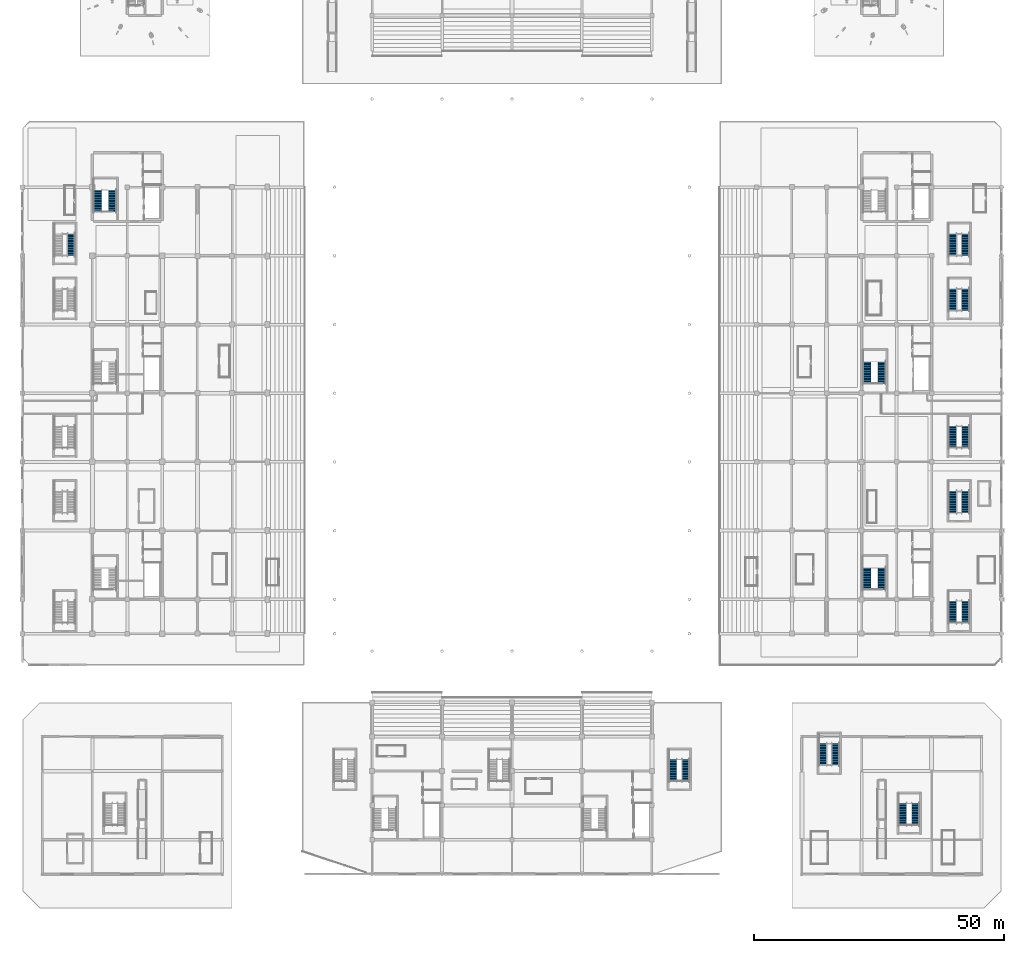
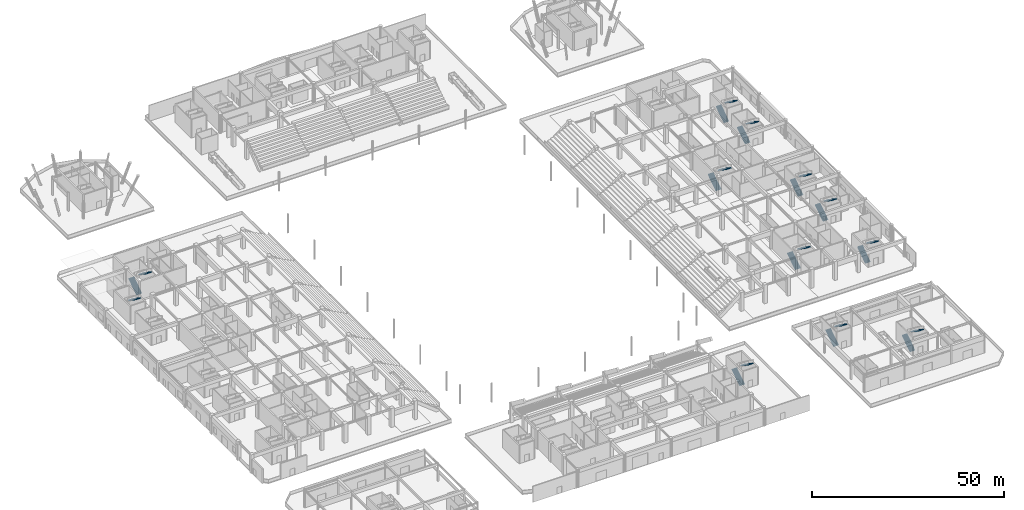
# One storey, part 55 of 73: 23 stair flights, 12 elements without a shape of their own.
"""IFC4 building model written with IfcOpenShell, lengths in metres."""

from ifc_helpers import new_model, si_unit, direction, frame, origin, place, context, subcontext, project, spatial, polyline, outline, extrude, material, type_object, element, aggregate, save


model = new_model("IFC4")

# Units and contexts
model_context = context("Model", 3, precision=1e-05, world=origin(), true_north=direction((0.0, 1.0)))
body_context = subcontext(model_context, "Body", "Model", "MODEL_VIEW")
ifc_project = project(units=[si_unit("LENGTHUNIT", "METRE"), si_unit("AREAUNIT", "SQUARE_METRE"), si_unit("VOLUMEUNIT", "CUBIC_METRE"), si_unit("PLANEANGLEUNIT", "RADIAN"), si_unit("MASSUNIT", "GRAM", prefix="KILO")], contexts=[model_context])

# Site, building, storey
site_placement = place(None, origin())
site = spatial("IfcSite", under=ifc_project, at=site_placement, CompositionType="ELEMENT")
building_placement = place(site_placement, origin())
building = spatial("IfcBuilding", under=site, at=building_placement, Name="Linyun Crest Stadium", CompositionType="ELEMENT")
storey_placement = place(building_placement, origin())
storey = spatial("IfcBuildingStorey", under=building, at=storey_placement, Name="L01", CompositionType="ELEMENT", Elevation=0.0)

# Stair, stair flights
ifc_material_1 = material(Name="Concrete C40", Category="concrete")
stair_type = type_object("IfcStairType", Name="STA01", PredefinedType="HALF_TURN_STAIR", material=ifc_material_1)
stair_1_placement = place(storey_placement, origin())
stair_1 = element("IfcStair", 1, at=stair_1_placement, inside=storey, type_object=stair_type, Name="Evacuation stair STR-03-L01", PredefinedType="HALF_TURN_STAIR")
ifc_material_2 = material(Name="Concrete C40", Category="concrete")
stair_flight_type_1 = type_object("IfcStairFlightType", Name="STF01", PredefinedType="STRAIGHT", material=ifc_material_2)
stair_flight_1_placement = place(storey_placement, frame((-82.909912109375, 38.489990234375, 0.0), z_axis=(0.0, 0.0, 1.0), x_axis=(0.0, 1.0, 0.0)))
stair_flight_1 = element("IfcStairFlight", 2, at=stair_flight_1_placement, type_object=stair_flight_type_1, Name="STR-03-L01 flight 1", NumberOfRisers=18, NumberOfTreads=17, PredefinedType="STRAIGHT", RiserHeight=0.166666667, TreadLength=0.25, context=body_context, shape_type="SweptSolid", body=[
    extrude(outline(polyline([(0.0, 0.0), (0.0, 0.166748046875), (0.25, 0.166748046875), (0.25, 0.333251953125), (0.5, 0.333251953125), (0.5, 0.5), (0.75, 0.5), (0.75, 0.666748046875), (1.0, 0.666748046875), (1.0, 0.833251953125), (1.25, 0.833251953125), (1.25, 1.0), (1.5, 1.0), (1.5, 1.166748046875), (1.75, 1.166748046875), (1.75, 1.333251953125), (2.0, 1.333251953125), (2.0, 1.5), (2.25, 1.5), (2.25, 1.666748046875), (2.5, 1.666748046875), (2.5, 1.833251953125), (2.75, 1.833251953125), (2.75, 2.0), (3.0, 2.0), (3.0, 2.166748046875), (3.25, 2.166748046875), (3.25, 2.333251953125), (3.5, 2.333251953125), (3.5, 2.5), (3.75, 2.5), (3.75, 2.666748046875), (4.0, 2.666748046875), (4.0, 2.833251953125), (4.25, 2.833251953125), (4.25, 3.0), (4.25, 2.6171875), (0.324462890625, 0.0), (0.0, 0.0)])), frame((0.0, 0.824951171875, 0.0), z_axis=(0.0, -1.0, 0.0), x_axis=(1.0, 0.0, 0.0)), (0.0, 0.0, 1.0), 1.64990234375),
])
stair_flight_2_placement = place(storey_placement, frame((-79.965087890625, 42.739990234375, 3.0), z_axis=(0.0, 0.0, 1.0), x_axis=(0.0, -1.0, 0.0)))
stair_flight_2 = element("IfcStairFlight", 3, at=stair_flight_2_placement, type_object=stair_flight_type_1, Name="STR-03-L01 flight 2", NumberOfRisers=18, NumberOfTreads=17, PredefinedType="STRAIGHT", RiserHeight=0.166666667, TreadLength=0.25, context=body_context, shape_type="SweptSolid", body=[
    extrude(outline(polyline([(0.0, 0.0), (0.0, 0.166748046875), (0.25, 0.166748046875), (0.25, 0.333251953125), (0.5, 0.333251953125), (0.5, 0.5), (0.75, 0.5), (0.75, 0.666748046875), (1.0, 0.666748046875), (1.0, 0.833251953125), (1.25, 0.833251953125), (1.25, 1.0), (1.5, 1.0), (1.5, 1.166748046875), (1.75, 1.166748046875), (1.75, 1.333251953125), (2.0, 1.333251953125), (2.0, 1.5), (2.25, 1.5), (2.25, 1.666748046875), (2.5, 1.666748046875), (2.5, 1.833251953125), (2.75, 1.833251953125), (2.75, 2.0), (3.0, 2.0), (3.0, 2.166748046875), (3.25, 2.166748046875), (3.25, 2.333251953125), (3.5, 2.333251953125), (3.5, 2.5), (3.75, 2.5), (3.75, 2.666748046875), (4.0, 2.666748046875), (4.0, 2.833251953125), (4.25, 2.833251953125), (4.25, 3.0), (4.25, 2.6171875), (0.324462890625, 0.0), (0.0, 0.0)])), frame((0.0, 0.824951171875, 0.0), z_axis=(0.0, -1.0, 0.0), x_axis=(1.0, 0.0, 0.0)), (0.0, 0.0, 1.0), 1.64990234375),
])
aggregate(stair_1, [stair_flight_1, stair_flight_2])

stair_2_placement = place(storey_placement, origin())
stair_2 = element("IfcStair", 4, at=stair_2_placement, inside=storey, type_object=stair_type, Name="Evacuation stair STR-04-L01", PredefinedType="HALF_TURN_STAIR")
stair_flight_3_placement = place(storey_placement, frame((71.0400390625, -37.135009765625, 0.0), z_axis=(0.0, 0.0, 1.0), x_axis=(0.0, 1.0, 0.0)))
stair_flight_3 = element("IfcStairFlight", 5, at=stair_flight_3_placement, type_object=stair_flight_type_1, Name="STR-04-L01 flight 1", NumberOfRisers=18, NumberOfTreads=17, PredefinedType="STRAIGHT", RiserHeight=0.166666667, TreadLength=0.25, context=body_context, shape_type="SweptSolid", body=[
    extrude(outline(polyline([(0.0, 0.0), (0.0, 0.166748046875), (0.25, 0.166748046875), (0.25, 0.333251953125), (0.5, 0.333251953125), (0.5, 0.5), (0.75, 0.5), (0.75, 0.666748046875), (1.0, 0.666748046875), (1.0, 0.833251953125), (1.25, 0.833251953125), (1.25, 1.0), (1.5, 1.0), (1.5, 1.166748046875), (1.75, 1.166748046875), (1.75, 1.333251953125), (2.0, 1.333251953125), (2.0, 1.5), (2.25, 1.5), (2.25, 1.666748046875), (2.5, 1.666748046875), (2.5, 1.833251953125), (2.75, 1.833251953125), (2.75, 2.0), (3.0, 2.0), (3.0, 2.166748046875), (3.25, 2.166748046875), (3.25, 2.333251953125), (3.5, 2.333251953125), (3.5, 2.5), (3.75, 2.5), (3.75, 2.666748046875), (4.0, 2.666748046875), (4.0, 2.833251953125), (4.25, 2.833251953125), (4.25, 3.0), (4.25, 2.6171875), (0.324462890625, 0.0), (0.0, 0.0)])), frame((0.0, 0.824951171875, 0.0), z_axis=(0.0, -1.0, 0.0), x_axis=(1.0, 0.0, 0.0)), (0.0, 0.0, 1.0), 1.64990234375),
])
stair_flight_4_placement = place(storey_placement, frame((74.034912109375, -32.885009765625, 3.0), z_axis=(0.0, 0.0, 1.0), x_axis=(0.0, -1.0, 0.0)))
stair_flight_4 = element("IfcStairFlight", 6, at=stair_flight_4_placement, type_object=stair_flight_type_1, Name="STR-04-L01 flight 2", NumberOfRisers=18, NumberOfTreads=17, PredefinedType="STRAIGHT", RiserHeight=0.166666667, TreadLength=0.25, context=body_context, shape_type="SweptSolid", body=[
    extrude(outline(polyline([(0.0, 0.0), (0.0, 0.166748046875), (0.25, 0.166748046875), (0.25, 0.333251953125), (0.5, 0.333251953125), (0.5, 0.5), (0.75, 0.5), (0.75, 0.666748046875), (1.0, 0.666748046875), (1.0, 0.833251953125), (1.25, 0.833251953125), (1.25, 1.0), (1.5, 1.0), (1.5, 1.166748046875), (1.75, 1.166748046875), (1.75, 1.333251953125), (2.0, 1.333251953125), (2.0, 1.5), (2.25, 1.5), (2.25, 1.666748046875), (2.5, 1.666748046875), (2.5, 1.833251953125), (2.75, 1.833251953125), (2.75, 2.0), (3.0, 2.0), (3.0, 2.166748046875), (3.25, 2.166748046875), (3.25, 2.333251953125), (3.5, 2.333251953125), (3.5, 2.5), (3.75, 2.5), (3.75, 2.666748046875), (4.0, 2.666748046875), (4.0, 2.833251953125), (4.25, 2.833251953125), (4.25, 3.0), (4.25, 2.6171875), (0.324462890625, 0.0), (0.0, 0.0)])), frame((0.0, 0.824951171875, 0.0), z_axis=(0.0, -1.0, 0.0), x_axis=(1.0, 0.0, 0.0)), (0.0, 0.0, 1.0), 1.64990234375),
])
aggregate(stair_2, [stair_flight_3, stair_flight_4])

stair_3_placement = place(storey_placement, origin())
stair_3 = element("IfcStair", 7, at=stair_3_placement, inside=storey, type_object=stair_type, Name="Evacuation stair STR-05-L01", PredefinedType="HALF_TURN_STAIR")
stair_flight_5_placement = place(storey_placement, frame((71.06494140625, 4.114990234375, 0.0), z_axis=(0.0, 0.0, 1.0), x_axis=(0.0, 1.0, 0.0)))
stair_flight_5 = element("IfcStairFlight", 8, at=stair_flight_5_placement, type_object=stair_flight_type_1, Name="STR-05-L01 flight 1", NumberOfRisers=18, NumberOfTreads=17, PredefinedType="STRAIGHT", RiserHeight=0.166666667, TreadLength=0.25, context=body_context, shape_type="SweptSolid", body=[
    extrude(outline(polyline([(0.0, 0.0), (0.0, 0.166748046875), (0.25, 0.166748046875), (0.25, 0.333251953125), (0.5, 0.333251953125), (0.5, 0.5), (0.75, 0.5), (0.75, 0.666748046875), (1.0, 0.666748046875), (1.0, 0.833251953125), (1.25, 0.833251953125), (1.25, 1.0), (1.5, 1.0), (1.5, 1.166748046875), (1.75, 1.166748046875), (1.75, 1.333251953125), (2.0, 1.333251953125), (2.0, 1.5), (2.25, 1.5), (2.25, 1.666748046875), (2.5, 1.666748046875), (2.5, 1.833251953125), (2.75, 1.833251953125), (2.75, 2.0), (3.0, 2.0), (3.0, 2.166748046875), (3.25, 2.166748046875), (3.25, 2.333251953125), (3.5, 2.333251953125), (3.5, 2.5), (3.75, 2.5), (3.75, 2.666748046875), (4.0, 2.666748046875), (4.0, 2.833251953125), (4.25, 2.833251953125), (4.25, 3.0), (4.25, 2.6171875), (0.324462890625, 0.0), (0.0, 0.0)])), frame((0.0, 0.824951171875, 0.0), z_axis=(0.0, -1.0, 0.0), x_axis=(1.0, 0.0, 0.0)), (0.0, 0.0, 1.0), 1.64990234375),
])
stair_flight_6_placement = place(storey_placement, frame((74.034912109375, 8.364990234375, 3.0), z_axis=(0.0, 0.0, 1.0), x_axis=(0.0, -1.0, 0.0)))
stair_flight_6 = element("IfcStairFlight", 9, at=stair_flight_6_placement, type_object=stair_flight_type_1, Name="STR-05-L01 flight 2", NumberOfRisers=18, NumberOfTreads=17, PredefinedType="STRAIGHT", RiserHeight=0.166666667, TreadLength=0.25, context=body_context, shape_type="SweptSolid", body=[
    extrude(outline(polyline([(0.0, 0.0), (0.0, 0.166748046875), (0.25, 0.166748046875), (0.25, 0.333251953125), (0.5, 0.333251953125), (0.5, 0.5), (0.75, 0.5), (0.75, 0.666748046875), (1.0, 0.666748046875), (1.0, 0.833251953125), (1.25, 0.833251953125), (1.25, 1.0), (1.5, 1.0), (1.5, 1.166748046875), (1.75, 1.166748046875), (1.75, 1.333251953125), (2.0, 1.333251953125), (2.0, 1.5), (2.25, 1.5), (2.25, 1.666748046875), (2.5, 1.666748046875), (2.5, 1.833251953125), (2.75, 1.833251953125), (2.75, 2.0), (3.0, 2.0), (3.0, 2.166748046875), (3.25, 2.166748046875), (3.25, 2.333251953125), (3.5, 2.333251953125), (3.5, 2.5), (3.75, 2.5), (3.75, 2.666748046875), (4.0, 2.666748046875), (4.0, 2.833251953125), (4.25, 2.833251953125), (4.25, 3.0), (4.25, 2.6171875), (0.324462890625, 0.0), (0.0, 0.0)])), frame((0.0, 0.824951171875, 0.0), z_axis=(0.0, -1.0, 0.0), x_axis=(1.0, 0.0, 0.0)), (0.0, 0.0, 1.0), 1.64990234375),
])
aggregate(stair_3, [stair_flight_5, stair_flight_6])

# Stair, stair flight
stair_4_placement = place(storey_placement, origin())
stair_4 = element("IfcStair", 10, at=stair_4_placement, inside=storey, type_object=stair_type, Name="Vomitory evacuation stair STR-17-L01", PredefinedType="HALF_TURN_STAIR")
ifc_material_3 = material(Name="Concrete C40", Category="concrete")
stair_flight_type_2 = type_object("IfcStairFlightType", Name="STF02", PredefinedType="STRAIGHT", material=ifc_material_3)
stair_flight_7_placement = place(storey_placement, frame((-88.215087890625, 33.969970703125, 3.0), z_axis=(0.0, 0.0, 1.0), x_axis=(0.0, -1.0, 0.0)))
stair_flight_7 = element("IfcStairFlight", 11, at=stair_flight_7_placement, type_object=stair_flight_type_2, Name="STR-17-L01 flight 2", NumberOfRisers=18, NumberOfTreads=17, PredefinedType="STRAIGHT", RiserHeight=0.166666667, TreadLength=0.25, context=body_context, shape_type="SweptSolid", body=[
    extrude(outline(polyline([(0.0, 0.0), (0.0, 0.166748046875), (0.25, 0.166748046875), (0.25, 0.333251953125), (0.5, 0.333251953125), (0.5, 0.5), (0.75, 0.5), (0.75, 0.666748046875), (1.0, 0.666748046875), (1.0, 0.833251953125), (1.25, 0.833251953125), (1.25, 1.0), (1.5, 1.0), (1.5, 1.166748046875), (1.75, 1.166748046875), (1.75, 1.333251953125), (2.0, 1.333251953125), (2.0, 1.5), (2.25, 1.5), (2.25, 1.666748046875), (2.5, 1.666748046875), (2.5, 1.833251953125), (2.75, 1.833251953125), (2.75, 2.0), (3.0, 2.0), (3.0, 2.166748046875), (3.25, 2.166748046875), (3.25, 2.333251953125), (3.5, 2.333251953125), (3.5, 2.5), (3.75, 2.5), (3.75, 2.666748046875), (4.0, 2.666748046875), (4.0, 2.833251953125), (4.25, 2.833251953125), (4.25, 3.0), (4.25, 2.6171875), (0.324462890625, 0.0), (0.0, 0.0)])), frame((0.0, 0.77490234375, 0.0), z_axis=(0.0, -1.0, 0.0), x_axis=(1.0, 0.0, 0.0)), (0.0, 0.0, 1.0), 1.550048828125),
])
aggregate(stair_4, [stair_flight_7])

# Stair, stair flights
stair_5_placement = place(storey_placement, origin())
stair_5 = element("IfcStair", 12, at=stair_5_placement, inside=storey, type_object=stair_type, Name="Vomitory evacuation stair STR-18-L01", PredefinedType="HALF_TURN_STAIR")
stair_flight_8_placement = place(storey_placement, frame((88.215087890625, -43.780029296875, 0.0), z_axis=(0.0, 0.0, 1.0), x_axis=(0.0, 1.0, 0.0)))
stair_flight_8 = element("IfcStairFlight", 13, at=stair_flight_8_placement, type_object=stair_flight_type_2, Name="STR-18-L01 flight 1", NumberOfRisers=18, NumberOfTreads=17, PredefinedType="STRAIGHT", RiserHeight=0.166666667, TreadLength=0.25, context=body_context, shape_type="SweptSolid", body=[
    extrude(outline(polyline([(0.0, 0.0), (0.0, 0.166748046875), (0.25, 0.166748046875), (0.25, 0.333251953125), (0.5, 0.333251953125), (0.5, 0.5), (0.75, 0.5), (0.75, 0.666748046875), (1.0, 0.666748046875), (1.0, 0.833251953125), (1.25, 0.833251953125), (1.25, 1.0), (1.5, 1.0), (1.5, 1.166748046875), (1.75, 1.166748046875), (1.75, 1.333251953125), (2.0, 1.333251953125), (2.0, 1.5), (2.25, 1.5), (2.25, 1.666748046875), (2.5, 1.666748046875), (2.5, 1.833251953125), (2.75, 1.833251953125), (2.75, 2.0), (3.0, 2.0), (3.0, 2.166748046875), (3.25, 2.166748046875), (3.25, 2.333251953125), (3.5, 2.333251953125), (3.5, 2.5), (3.75, 2.5), (3.75, 2.666748046875), (4.0, 2.666748046875), (4.0, 2.833251953125), (4.25, 2.833251953125), (4.25, 3.0), (4.25, 2.6171875), (0.324462890625, 0.0), (0.0, 0.0)])), frame((0.0, 0.77490234375, 0.0), z_axis=(0.0, -1.0, 0.0), x_axis=(1.0, 0.0, 0.0)), (0.0, 0.0, 1.0), 1.550048828125),
])
stair_flight_9_placement = place(storey_placement, frame((90.784912109375, -39.530029296875, 3.0), z_axis=(0.0, 0.0, 1.0), x_axis=(0.0, -1.0, 0.0)))
stair_flight_9 = element("IfcStairFlight", 14, at=stair_flight_9_placement, type_object=stair_flight_type_2, Name="STR-18-L01 flight 2", NumberOfRisers=18, NumberOfTreads=17, PredefinedType="STRAIGHT", RiserHeight=0.166666667, TreadLength=0.25, context=body_context, shape_type="SweptSolid", body=[
    extrude(outline(polyline([(0.0, 0.0), (0.0, 0.166748046875), (0.25, 0.166748046875), (0.25, 0.333251953125), (0.5, 0.333251953125), (0.5, 0.5), (0.75, 0.5), (0.75, 0.666748046875), (1.0, 0.666748046875), (1.0, 0.833251953125), (1.25, 0.833251953125), (1.25, 1.0), (1.5, 1.0), (1.5, 1.166748046875), (1.75, 1.166748046875), (1.75, 1.333251953125), (2.0, 1.333251953125), (2.0, 1.5), (2.25, 1.5), (2.25, 1.666748046875), (2.5, 1.666748046875), (2.5, 1.833251953125), (2.75, 1.833251953125), (2.75, 2.0), (3.0, 2.0), (3.0, 2.166748046875), (3.25, 2.166748046875), (3.25, 2.333251953125), (3.5, 2.333251953125), (3.5, 2.5), (3.75, 2.5), (3.75, 2.666748046875), (4.0, 2.666748046875), (4.0, 2.833251953125), (4.25, 2.833251953125), (4.25, 3.0), (4.25, 2.6171875), (0.324462890625, 0.0), (0.0, 0.0)])), frame((0.0, 0.77490234375, 0.0), z_axis=(0.0, -1.0, 0.0), x_axis=(1.0, 0.0, 0.0)), (0.0, 0.0, 1.0), 1.550048828125),
])
aggregate(stair_5, [stair_flight_8, stair_flight_9])

stair_6_placement = place(storey_placement, origin())
stair_6 = element("IfcStair", 15, at=stair_6_placement, inside=storey, type_object=stair_type, Name="Vomitory evacuation stair STR-19-L01", PredefinedType="HALF_TURN_STAIR")
stair_flight_10_placement = place(storey_placement, frame((88.215087890625, -21.780029296875, 0.0), z_axis=(0.0, 0.0, 1.0), x_axis=(0.0, 1.0, 0.0)))
stair_flight_10 = element("IfcStairFlight", 16, at=stair_flight_10_placement, type_object=stair_flight_type_2, Name="STR-19-L01 flight 1", NumberOfRisers=18, NumberOfTreads=17, PredefinedType="STRAIGHT", RiserHeight=0.166666667, TreadLength=0.25, context=body_context, shape_type="SweptSolid", body=[
    extrude(outline(polyline([(0.0, 0.0), (0.0, 0.166748046875), (0.25, 0.166748046875), (0.25, 0.333251953125), (0.5, 0.333251953125), (0.5, 0.5), (0.75, 0.5), (0.75, 0.666748046875), (1.0, 0.666748046875), (1.0, 0.833251953125), (1.25, 0.833251953125), (1.25, 1.0), (1.5, 1.0), (1.5, 1.166748046875), (1.75, 1.166748046875), (1.75, 1.333251953125), (2.0, 1.333251953125), (2.0, 1.5), (2.25, 1.5), (2.25, 1.666748046875), (2.5, 1.666748046875), (2.5, 1.833251953125), (2.75, 1.833251953125), (2.75, 2.0), (3.0, 2.0), (3.0, 2.166748046875), (3.25, 2.166748046875), (3.25, 2.333251953125), (3.5, 2.333251953125), (3.5, 2.5), (3.75, 2.5), (3.75, 2.666748046875), (4.0, 2.666748046875), (4.0, 2.833251953125), (4.25, 2.833251953125), (4.25, 3.0), (4.25, 2.6171875), (0.324462890625, 0.0), (0.0, 0.0)])), frame((0.0, 0.77490234375, 0.0), z_axis=(0.0, -1.0, 0.0), x_axis=(1.0, 0.0, 0.0)), (0.0, 0.0, 1.0), 1.550048828125),
])
stair_flight_11_placement = place(storey_placement, frame((90.784912109375, -17.530029296875, 3.0), z_axis=(0.0, 0.0, 1.0), x_axis=(0.0, -1.0, 0.0)))
stair_flight_11 = element("IfcStairFlight", 17, at=stair_flight_11_placement, type_object=stair_flight_type_2, Name="STR-19-L01 flight 2", NumberOfRisers=18, NumberOfTreads=17, PredefinedType="STRAIGHT", RiserHeight=0.166666667, TreadLength=0.25, context=body_context, shape_type="SweptSolid", body=[
    extrude(outline(polyline([(0.0, 0.0), (0.0, 0.166748046875), (0.25, 0.166748046875), (0.25, 0.333251953125), (0.5, 0.333251953125), (0.5, 0.5), (0.75, 0.5), (0.75, 0.666748046875), (1.0, 0.666748046875), (1.0, 0.833251953125), (1.25, 0.833251953125), (1.25, 1.0), (1.5, 1.0), (1.5, 1.166748046875), (1.75, 1.166748046875), (1.75, 1.333251953125), (2.0, 1.333251953125), (2.0, 1.5), (2.25, 1.5), (2.25, 1.666748046875), (2.5, 1.666748046875), (2.5, 1.833251953125), (2.75, 1.833251953125), (2.75, 2.0), (3.0, 2.0), (3.0, 2.166748046875), (3.25, 2.166748046875), (3.25, 2.333251953125), (3.5, 2.333251953125), (3.5, 2.5), (3.75, 2.5), (3.75, 2.666748046875), (4.0, 2.666748046875), (4.0, 2.833251953125), (4.25, 2.833251953125), (4.25, 3.0), (4.25, 2.6171875), (0.324462890625, 0.0), (0.0, 0.0)])), frame((0.0, 0.77490234375, 0.0), z_axis=(0.0, -1.0, 0.0), x_axis=(1.0, 0.0, 0.0)), (0.0, 0.0, 1.0), 1.550048828125),
])
aggregate(stair_6, [stair_flight_10, stair_flight_11])

stair_7_placement = place(storey_placement, origin())
stair_7 = element("IfcStair", 18, at=stair_7_placement, inside=storey, type_object=stair_type, Name="Vomitory evacuation stair STR-20-L01", PredefinedType="HALF_TURN_STAIR")
stair_flight_12_placement = place(storey_placement, frame((88.215087890625, -8.780029296875, 0.0), z_axis=(0.0, 0.0, 1.0), x_axis=(0.0, 1.0, 0.0)))
stair_flight_12 = element("IfcStairFlight", 19, at=stair_flight_12_placement, type_object=stair_flight_type_2, Name="STR-20-L01 flight 1", NumberOfRisers=18, NumberOfTreads=17, PredefinedType="STRAIGHT", RiserHeight=0.166666667, TreadLength=0.25, context=body_context, shape_type="SweptSolid", body=[
    extrude(outline(polyline([(0.0, 0.0), (0.0, 0.166748046875), (0.25, 0.166748046875), (0.25, 0.333251953125), (0.5, 0.333251953125), (0.5, 0.5), (0.75, 0.5), (0.75, 0.666748046875), (1.0, 0.666748046875), (1.0, 0.833251953125), (1.25, 0.833251953125), (1.25, 1.0), (1.5, 1.0), (1.5, 1.166748046875), (1.75, 1.166748046875), (1.75, 1.333251953125), (2.0, 1.333251953125), (2.0, 1.5), (2.25, 1.5), (2.25, 1.666748046875), (2.5, 1.666748046875), (2.5, 1.833251953125), (2.75, 1.833251953125), (2.75, 2.0), (3.0, 2.0), (3.0, 2.166748046875), (3.25, 2.166748046875), (3.25, 2.333251953125), (3.5, 2.333251953125), (3.5, 2.5), (3.75, 2.5), (3.75, 2.666748046875), (4.0, 2.666748046875), (4.0, 2.833251953125), (4.25, 2.833251953125), (4.25, 3.0), (4.25, 2.6171875), (0.324462890625, 0.0), (0.0, 0.0)])), frame((0.0, 0.77490234375, 0.0), z_axis=(0.0, -1.0, 0.0), x_axis=(1.0, 0.0, 0.0)), (0.0, 0.0, 1.0), 1.550048828125),
])
stair_flight_13_placement = place(storey_placement, frame((90.784912109375, -4.530029296875, 3.0), z_axis=(0.0, 0.0, 1.0), x_axis=(0.0, -1.0, 0.0)))
stair_flight_13 = element("IfcStairFlight", 20, at=stair_flight_13_placement, type_object=stair_flight_type_2, Name="STR-20-L01 flight 2", NumberOfRisers=18, NumberOfTreads=17, PredefinedType="STRAIGHT", RiserHeight=0.166666667, TreadLength=0.25, context=body_context, shape_type="SweptSolid", body=[
    extrude(outline(polyline([(0.0, 0.0), (0.0, 0.166748046875), (0.25, 0.166748046875), (0.25, 0.333251953125), (0.5, 0.333251953125), (0.5, 0.5), (0.75, 0.5), (0.75, 0.666748046875), (1.0, 0.666748046875), (1.0, 0.833251953125), (1.25, 0.833251953125), (1.25, 1.0), (1.5, 1.0), (1.5, 1.166748046875), (1.75, 1.166748046875), (1.75, 1.333251953125), (2.0, 1.333251953125), (2.0, 1.5), (2.25, 1.5), (2.25, 1.666748046875), (2.5, 1.666748046875), (2.5, 1.833251953125), (2.75, 1.833251953125), (2.75, 2.0), (3.0, 2.0), (3.0, 2.166748046875), (3.25, 2.166748046875), (3.25, 2.333251953125), (3.5, 2.333251953125), (3.5, 2.5), (3.75, 2.5), (3.75, 2.666748046875), (4.0, 2.666748046875), (4.0, 2.833251953125), (4.25, 2.833251953125), (4.25, 3.0), (4.25, 2.6171875), (0.324462890625, 0.0), (0.0, 0.0)])), frame((0.0, 0.77490234375, 0.0), z_axis=(0.0, -1.0, 0.0), x_axis=(1.0, 0.0, 0.0)), (0.0, 0.0, 1.0), 1.550048828125),
])
aggregate(stair_7, [stair_flight_12, stair_flight_13])

stair_8_placement = place(storey_placement, origin())
stair_8 = element("IfcStair", 21, at=stair_8_placement, inside=storey, type_object=stair_type, Name="Vomitory evacuation stair STR-21-L01", PredefinedType="HALF_TURN_STAIR")
stair_flight_14_placement = place(storey_placement, frame((88.215087890625, 18.719970703125, 0.0), z_axis=(0.0, 0.0, 1.0), x_axis=(0.0, 1.0, 0.0)))
stair_flight_14 = element("IfcStairFlight", 22, at=stair_flight_14_placement, type_object=stair_flight_type_2, Name="STR-21-L01 flight 1", NumberOfRisers=18, NumberOfTreads=17, PredefinedType="STRAIGHT", RiserHeight=0.166666667, TreadLength=0.25, context=body_context, shape_type="SweptSolid", body=[
    extrude(outline(polyline([(0.0, 0.0), (0.0, 0.166748046875), (0.25, 0.166748046875), (0.25, 0.333251953125), (0.5, 0.333251953125), (0.5, 0.5), (0.75, 0.5), (0.75, 0.666748046875), (1.0, 0.666748046875), (1.0, 0.833251953125), (1.25, 0.833251953125), (1.25, 1.0), (1.5, 1.0), (1.5, 1.166748046875), (1.75, 1.166748046875), (1.75, 1.333251953125), (2.0, 1.333251953125), (2.0, 1.5), (2.25, 1.5), (2.25, 1.666748046875), (2.5, 1.666748046875), (2.5, 1.833251953125), (2.75, 1.833251953125), (2.75, 2.0), (3.0, 2.0), (3.0, 2.166748046875), (3.25, 2.166748046875), (3.25, 2.333251953125), (3.5, 2.333251953125), (3.5, 2.5), (3.75, 2.5), (3.75, 2.666748046875), (4.0, 2.666748046875), (4.0, 2.833251953125), (4.25, 2.833251953125), (4.25, 3.0), (4.25, 2.6171875), (0.324462890625, 0.0), (0.0, 0.0)])), frame((0.0, 0.77490234375, 0.0), z_axis=(0.0, -1.0, 0.0), x_axis=(1.0, 0.0, 0.0)), (0.0, 0.0, 1.0), 1.550048828125),
])
stair_flight_15_placement = place(storey_placement, frame((90.784912109375, 22.969970703125, 3.0), z_axis=(0.0, 0.0, 1.0), x_axis=(0.0, -1.0, 0.0)))
stair_flight_15 = element("IfcStairFlight", 23, at=stair_flight_15_placement, type_object=stair_flight_type_2, Name="STR-21-L01 flight 2", NumberOfRisers=18, NumberOfTreads=17, PredefinedType="STRAIGHT", RiserHeight=0.166666667, TreadLength=0.25, context=body_context, shape_type="SweptSolid", body=[
    extrude(outline(polyline([(0.0, 0.0), (0.0, 0.166748046875), (0.25, 0.166748046875), (0.25, 0.333251953125), (0.5, 0.333251953125), (0.5, 0.5), (0.75, 0.5), (0.75, 0.666748046875), (1.0, 0.666748046875), (1.0, 0.833251953125), (1.25, 0.833251953125), (1.25, 1.0), (1.5, 1.0), (1.5, 1.166748046875), (1.75, 1.166748046875), (1.75, 1.333251953125), (2.0, 1.333251953125), (2.0, 1.5), (2.25, 1.5), (2.25, 1.666748046875), (2.5, 1.666748046875), (2.5, 1.833251953125), (2.75, 1.833251953125), (2.75, 2.0), (3.0, 2.0), (3.0, 2.166748046875), (3.25, 2.166748046875), (3.25, 2.333251953125), (3.5, 2.333251953125), (3.5, 2.5), (3.75, 2.5), (3.75, 2.666748046875), (4.0, 2.666748046875), (4.0, 2.833251953125), (4.25, 2.833251953125), (4.25, 3.0), (4.25, 2.6171875), (0.324462890625, 0.0), (0.0, 0.0)])), frame((0.0, 0.77490234375, 0.0), z_axis=(0.0, -1.0, 0.0), x_axis=(1.0, 0.0, 0.0)), (0.0, 0.0, 1.0), 1.550048828125),
])
aggregate(stair_8, [stair_flight_14, stair_flight_15])

stair_9_placement = place(storey_placement, origin())
stair_9 = element("IfcStair", 24, at=stair_9_placement, inside=storey, type_object=stair_type, Name="Vomitory evacuation stair STR-22-L01", PredefinedType="HALF_TURN_STAIR")
stair_flight_16_placement = place(storey_placement, frame((88.215087890625, 29.719970703125, 0.0), z_axis=(0.0, 0.0, 1.0), x_axis=(0.0, 1.0, 0.0)))
stair_flight_16 = element("IfcStairFlight", 25, at=stair_flight_16_placement, type_object=stair_flight_type_2, Name="STR-22-L01 flight 1", NumberOfRisers=18, NumberOfTreads=17, PredefinedType="STRAIGHT", RiserHeight=0.166666667, TreadLength=0.25, context=body_context, shape_type="SweptSolid", body=[
    extrude(outline(polyline([(0.0, 0.0), (0.0, 0.166748046875), (0.25, 0.166748046875), (0.25, 0.333251953125), (0.5, 0.333251953125), (0.5, 0.5), (0.75, 0.5), (0.75, 0.666748046875), (1.0, 0.666748046875), (1.0, 0.833251953125), (1.25, 0.833251953125), (1.25, 1.0), (1.5, 1.0), (1.5, 1.166748046875), (1.75, 1.166748046875), (1.75, 1.333251953125), (2.0, 1.333251953125), (2.0, 1.5), (2.25, 1.5), (2.25, 1.666748046875), (2.5, 1.666748046875), (2.5, 1.833251953125), (2.75, 1.833251953125), (2.75, 2.0), (3.0, 2.0), (3.0, 2.166748046875), (3.25, 2.166748046875), (3.25, 2.333251953125), (3.5, 2.333251953125), (3.5, 2.5), (3.75, 2.5), (3.75, 2.666748046875), (4.0, 2.666748046875), (4.0, 2.833251953125), (4.25, 2.833251953125), (4.25, 3.0), (4.25, 2.6171875), (0.324462890625, 0.0), (0.0, 0.0)])), frame((0.0, 0.77490234375, 0.0), z_axis=(0.0, -1.0, 0.0), x_axis=(1.0, 0.0, 0.0)), (0.0, 0.0, 1.0), 1.550048828125),
])
stair_flight_17_placement = place(storey_placement, frame((90.784912109375, 33.969970703125, 3.0), z_axis=(0.0, 0.0, 1.0), x_axis=(0.0, -1.0, 0.0)))
stair_flight_17 = element("IfcStairFlight", 26, at=stair_flight_17_placement, type_object=stair_flight_type_2, Name="STR-22-L01 flight 2", NumberOfRisers=18, NumberOfTreads=17, PredefinedType="STRAIGHT", RiserHeight=0.166666667, TreadLength=0.25, context=body_context, shape_type="SweptSolid", body=[
    extrude(outline(polyline([(0.0, 0.0), (0.0, 0.166748046875), (0.25, 0.166748046875), (0.25, 0.333251953125), (0.5, 0.333251953125), (0.5, 0.5), (0.75, 0.5), (0.75, 0.666748046875), (1.0, 0.666748046875), (1.0, 0.833251953125), (1.25, 0.833251953125), (1.25, 1.0), (1.5, 1.0), (1.5, 1.166748046875), (1.75, 1.166748046875), (1.75, 1.333251953125), (2.0, 1.333251953125), (2.0, 1.5), (2.25, 1.5), (2.25, 1.666748046875), (2.5, 1.666748046875), (2.5, 1.833251953125), (2.75, 1.833251953125), (2.75, 2.0), (3.0, 2.0), (3.0, 2.166748046875), (3.25, 2.166748046875), (3.25, 2.333251953125), (3.5, 2.333251953125), (3.5, 2.5), (3.75, 2.5), (3.75, 2.666748046875), (4.0, 2.666748046875), (4.0, 2.833251953125), (4.25, 2.833251953125), (4.25, 3.0), (4.25, 2.6171875), (0.324462890625, 0.0), (0.0, 0.0)])), frame((0.0, 0.77490234375, 0.0), z_axis=(0.0, -1.0, 0.0), x_axis=(1.0, 0.0, 0.0)), (0.0, 0.0, 1.0), 1.550048828125),
])
aggregate(stair_9, [stair_flight_16, stair_flight_17])

stair_10_placement = place(storey_placement, origin())
stair_10 = element("IfcStair", 27, at=stair_10_placement, inside=storey, type_object=stair_type, Name="Vomitory evacuation stair STR-29-L01", PredefinedType="HALF_TURN_STAIR")
stair_flight_18_placement = place(storey_placement, frame((32.215087890625, -75.47998046875, 0.0), z_axis=(0.0, 0.0, 1.0), x_axis=(0.0, 1.0, 0.0)))
stair_flight_18 = element("IfcStairFlight", 28, at=stair_flight_18_placement, type_object=stair_flight_type_2, Name="STR-29-L01 flight 1", NumberOfRisers=18, NumberOfTreads=17, PredefinedType="STRAIGHT", RiserHeight=0.166666667, TreadLength=0.25, context=body_context, shape_type="SweptSolid", body=[
    extrude(outline(polyline([(0.0, 0.0), (0.0, 0.166748046875), (0.25, 0.166748046875), (0.25, 0.333251953125), (0.5, 0.333251953125), (0.5, 0.5), (0.75, 0.5), (0.75, 0.666748046875), (1.0, 0.666748046875), (1.0, 0.833251953125), (1.25, 0.833251953125), (1.25, 1.0), (1.5, 1.0), (1.5, 1.166748046875), (1.75, 1.166748046875), (1.75, 1.333251953125), (2.0, 1.333251953125), (2.0, 1.5), (2.25, 1.5), (2.25, 1.666748046875), (2.5, 1.666748046875), (2.5, 1.833251953125), (2.75, 1.833251953125), (2.75, 2.0), (3.0, 2.0), (3.0, 2.166748046875), (3.25, 2.166748046875), (3.25, 2.333251953125), (3.5, 2.333251953125), (3.5, 2.5), (3.75, 2.5), (3.75, 2.666748046875), (4.0, 2.666748046875), (4.0, 2.833251953125), (4.25, 2.833251953125), (4.25, 3.0), (4.25, 2.6171875), (0.324462890625, 0.0), (0.0, 0.0)])), frame((0.0, 0.77490234375, 0.0), z_axis=(0.0, -1.0, 0.0), x_axis=(1.0, 0.0, 0.0)), (0.0, 0.0, 1.0), 1.550048828125),
])
stair_flight_19_placement = place(storey_placement, frame((34.784912109375, -71.22998046875, 3.0), z_axis=(0.0, 0.0, 1.0), x_axis=(0.0, -1.0, 0.0)))
stair_flight_19 = element("IfcStairFlight", 29, at=stair_flight_19_placement, type_object=stair_flight_type_2, Name="STR-29-L01 flight 2", NumberOfRisers=18, NumberOfTreads=17, PredefinedType="STRAIGHT", RiserHeight=0.166666667, TreadLength=0.25, context=body_context, shape_type="SweptSolid", body=[
    extrude(outline(polyline([(0.0, 0.0), (0.0, 0.166748046875), (0.25, 0.166748046875), (0.25, 0.333251953125), (0.5, 0.333251953125), (0.5, 0.5), (0.75, 0.5), (0.75, 0.666748046875), (1.0, 0.666748046875), (1.0, 0.833251953125), (1.25, 0.833251953125), (1.25, 1.0), (1.5, 1.0), (1.5, 1.166748046875), (1.75, 1.166748046875), (1.75, 1.333251953125), (2.0, 1.333251953125), (2.0, 1.5), (2.25, 1.5), (2.25, 1.666748046875), (2.5, 1.666748046875), (2.5, 1.833251953125), (2.75, 1.833251953125), (2.75, 2.0), (3.0, 2.0), (3.0, 2.166748046875), (3.25, 2.166748046875), (3.25, 2.333251953125), (3.5, 2.333251953125), (3.5, 2.5), (3.75, 2.5), (3.75, 2.666748046875), (4.0, 2.666748046875), (4.0, 2.833251953125), (4.25, 2.833251953125), (4.25, 3.0), (4.25, 2.6171875), (0.324462890625, 0.0), (0.0, 0.0)])), frame((0.0, 0.77490234375, 0.0), z_axis=(0.0, -1.0, 0.0), x_axis=(1.0, 0.0, 0.0)), (0.0, 0.0, 1.0), 1.550048828125),
])
aggregate(stair_10, [stair_flight_18, stair_flight_19])

stair_11_placement = place(storey_placement, origin())
stair_11 = element("IfcStair", 30, at=stair_11_placement, inside=storey, type_object=stair_type, Name="Vomitory evacuation stair STR-31-L01", PredefinedType="HALF_TURN_STAIR")
stair_flight_20_placement = place(storey_placement, frame((78.215087890625, -84.280029296875, 0.0), z_axis=(0.0, 0.0, 1.0), x_axis=(0.0, 1.0, 0.0)))
stair_flight_20 = element("IfcStairFlight", 31, at=stair_flight_20_placement, type_object=stair_flight_type_2, Name="STR-31-L01 flight 1", NumberOfRisers=18, NumberOfTreads=17, PredefinedType="STRAIGHT", RiserHeight=0.166666667, TreadLength=0.25, context=body_context, shape_type="SweptSolid", body=[
    extrude(outline(polyline([(0.0, 0.0), (0.0, 0.166748046875), (0.25, 0.166748046875), (0.25, 0.333251953125), (0.5, 0.333251953125), (0.5, 0.5), (0.75, 0.5), (0.75, 0.666748046875), (1.0, 0.666748046875), (1.0, 0.833251953125), (1.25, 0.833251953125), (1.25, 1.0), (1.5, 1.0), (1.5, 1.166748046875), (1.75, 1.166748046875), (1.75, 1.333251953125), (2.0, 1.333251953125), (2.0, 1.5), (2.25, 1.5), (2.25, 1.666748046875), (2.5, 1.666748046875), (2.5, 1.833251953125), (2.75, 1.833251953125), (2.75, 2.0), (3.0, 2.0), (3.0, 2.166748046875), (3.25, 2.166748046875), (3.25, 2.333251953125), (3.5, 2.333251953125), (3.5, 2.5), (3.75, 2.5), (3.75, 2.666748046875), (4.0, 2.666748046875), (4.0, 2.833251953125), (4.25, 2.833251953125), (4.25, 3.0), (4.25, 2.6171875), (0.324462890625, 0.0), (0.0, 0.0)])), frame((0.0, 0.77490234375, 0.0), z_axis=(0.0, -1.0, 0.0), x_axis=(1.0, 0.0, 0.0)), (0.0, 0.0, 1.0), 1.550048828125),
])
stair_flight_21_placement = place(storey_placement, frame((80.784912109375, -80.030029296875, 3.0), z_axis=(0.0, 0.0, 1.0), x_axis=(0.0, -1.0, 0.0)))
stair_flight_21 = element("IfcStairFlight", 32, at=stair_flight_21_placement, type_object=stair_flight_type_2, Name="STR-31-L01 flight 2", NumberOfRisers=18, NumberOfTreads=17, PredefinedType="STRAIGHT", RiserHeight=0.166666667, TreadLength=0.25, context=body_context, shape_type="SweptSolid", body=[
    extrude(outline(polyline([(0.0, 0.0), (0.0, 0.166748046875), (0.25, 0.166748046875), (0.25, 0.333251953125), (0.5, 0.333251953125), (0.5, 0.5), (0.75, 0.5), (0.75, 0.666748046875), (1.0, 0.666748046875), (1.0, 0.833251953125), (1.25, 0.833251953125), (1.25, 1.0), (1.5, 1.0), (1.5, 1.166748046875), (1.75, 1.166748046875), (1.75, 1.333251953125), (2.0, 1.333251953125), (2.0, 1.5), (2.25, 1.5), (2.25, 1.666748046875), (2.5, 1.666748046875), (2.5, 1.833251953125), (2.75, 1.833251953125), (2.75, 2.0), (3.0, 2.0), (3.0, 2.166748046875), (3.25, 2.166748046875), (3.25, 2.333251953125), (3.5, 2.333251953125), (3.5, 2.5), (3.75, 2.5), (3.75, 2.666748046875), (4.0, 2.666748046875), (4.0, 2.833251953125), (4.25, 2.833251953125), (4.25, 3.0), (4.25, 2.6171875), (0.324462890625, 0.0), (0.0, 0.0)])), frame((0.0, 0.77490234375, 0.0), z_axis=(0.0, -1.0, 0.0), x_axis=(1.0, 0.0, 0.0)), (0.0, 0.0, 1.0), 1.550048828125),
])
aggregate(stair_11, [stair_flight_20, stair_flight_21])

stair_12_placement = place(storey_placement, origin())
stair_12 = element("IfcStair", 33, at=stair_12_placement, inside=storey, type_object=stair_type, Name="Vomitory evacuation stair STR-32-L01", PredefinedType="HALF_TURN_STAIR")
stair_flight_22_placement = place(storey_placement, frame((62.215087890625, -72.280029296875, 0.0), z_axis=(0.0, 0.0, 1.0), x_axis=(0.0, 1.0, 0.0)))
stair_flight_22 = element("IfcStairFlight", 34, at=stair_flight_22_placement, type_object=stair_flight_type_2, Name="STR-32-L01 flight 1", NumberOfRisers=18, NumberOfTreads=17, PredefinedType="STRAIGHT", RiserHeight=0.166666667, TreadLength=0.25, context=body_context, shape_type="SweptSolid", body=[
    extrude(outline(polyline([(0.0, 0.0), (0.0, 0.166748046875), (0.25, 0.166748046875), (0.25, 0.333251953125), (0.5, 0.333251953125), (0.5, 0.5), (0.75, 0.5), (0.75, 0.666748046875), (1.0, 0.666748046875), (1.0, 0.833251953125), (1.25, 0.833251953125), (1.25, 1.0), (1.5, 1.0), (1.5, 1.166748046875), (1.75, 1.166748046875), (1.75, 1.333251953125), (2.0, 1.333251953125), (2.0, 1.5), (2.25, 1.5), (2.25, 1.666748046875), (2.5, 1.666748046875), (2.5, 1.833251953125), (2.75, 1.833251953125), (2.75, 2.0), (3.0, 2.0), (3.0, 2.166748046875), (3.25, 2.166748046875), (3.25, 2.333251953125), (3.5, 2.333251953125), (3.5, 2.5), (3.75, 2.5), (3.75, 2.666748046875), (4.0, 2.666748046875), (4.0, 2.833251953125), (4.25, 2.833251953125), (4.25, 3.0), (4.25, 2.6171875), (0.324462890625, 0.0), (0.0, 0.0)])), frame((0.0, 0.77490234375, 0.0), z_axis=(0.0, -1.0, 0.0), x_axis=(1.0, 0.0, 0.0)), (0.0, 0.0, 1.0), 1.550048828125),
])
stair_flight_23_placement = place(storey_placement, frame((64.784912109375, -68.030029296875, 3.0), z_axis=(0.0, 0.0, 1.0), x_axis=(0.0, -1.0, 0.0)))
stair_flight_23 = element("IfcStairFlight", 35, at=stair_flight_23_placement, type_object=stair_flight_type_2, Name="STR-32-L01 flight 2", NumberOfRisers=18, NumberOfTreads=17, PredefinedType="STRAIGHT", RiserHeight=0.166666667, TreadLength=0.25, context=body_context, shape_type="SweptSolid", body=[
    extrude(outline(polyline([(0.0, 0.0), (0.0, 0.166748046875), (0.25, 0.166748046875), (0.25, 0.333251953125), (0.5, 0.333251953125), (0.5, 0.5), (0.75, 0.5), (0.75, 0.666748046875), (1.0, 0.666748046875), (1.0, 0.833251953125), (1.25, 0.833251953125), (1.25, 1.0), (1.5, 1.0), (1.5, 1.166748046875), (1.75, 1.166748046875), (1.75, 1.333251953125), (2.0, 1.333251953125), (2.0, 1.5), (2.25, 1.5), (2.25, 1.666748046875), (2.5, 1.666748046875), (2.5, 1.833251953125), (2.75, 1.833251953125), (2.75, 2.0), (3.0, 2.0), (3.0, 2.166748046875), (3.25, 2.166748046875), (3.25, 2.333251953125), (3.5, 2.333251953125), (3.5, 2.5), (3.75, 2.5), (3.75, 2.666748046875), (4.0, 2.666748046875), (4.0, 2.833251953125), (4.25, 2.833251953125), (4.25, 3.0), (4.25, 2.6171875), (0.324462890625, 0.0), (0.0, 0.0)])), frame((0.0, 0.77490234375, 0.0), z_axis=(0.0, -1.0, 0.0), x_axis=(1.0, 0.0, 0.0)), (0.0, 0.0, 1.0), 1.550048828125),
])
aggregate(stair_12, [stair_flight_22, stair_flight_23])

save(model, "model.ifc")
